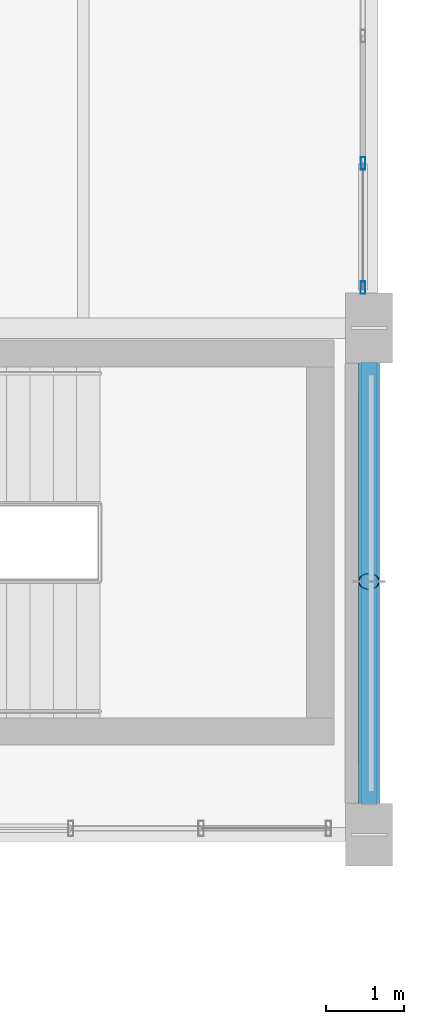
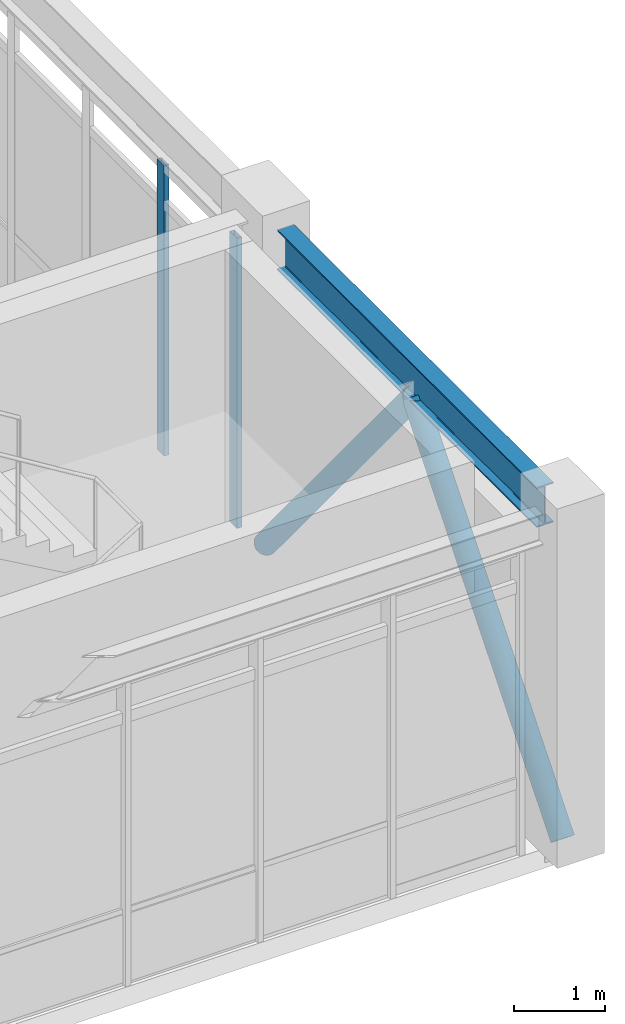
# One storey, part 117 of 200: 4 members, 1 beam, 1 element without a shape of its own.
"""IFC4 building model written with IfcOpenShell, lengths in metres."""

from ifc_helpers import new_model, si_unit, direction, frame, origin, origin_2d, place, context, subcontext, project, spatial, hollow_rectangle, hollow_circle, i_section, extrude, material, material_profile, profile_set, type_object, element, aggregate, save


model = new_model("IFC4")

# Units and contexts
model_context = context("Model", 3, precision=1e-05, world=origin(), true_north=direction((0.0, 1.0)))
body_context = subcontext(model_context, "Body", "Model", "MODEL_VIEW")
ifc_project = project(units=[si_unit("LENGTHUNIT", "METRE"), si_unit("AREAUNIT", "SQUARE_METRE"), si_unit("VOLUMEUNIT", "CUBIC_METRE"), si_unit("PLANEANGLEUNIT", "RADIAN"), si_unit("MASSUNIT", "GRAM", prefix="KILO"), si_unit("THERMODYNAMICTEMPERATUREUNIT", "KELVIN"), si_unit("POWERUNIT", "WATT")], contexts=[model_context])

# Site, building, storey
site_placement = place(None, origin())
site = spatial("IfcSite", under=ifc_project, at=site_placement, CompositionType="ELEMENT")
building_placement = place(site_placement, origin())
building = spatial("IfcBuilding", under=site, at=building_placement, Name="Tepalcoro Natatorium and Aquatics Centre", CompositionType="ELEMENT")
storey_placement = place(building_placement, frame((0.0, 0.0, 5.39990234375)))
storey = spatial("IfcBuildingStorey", under=building, at=storey_placement, Name="L01", CompositionType="ELEMENT", Elevation=5.39990234375)

# Curtain wall, members
ifc_material_1 = material(Name="Bronze-Anodised Extruded Aluminium Alloy EN AW-6063 T6", Category="aluminium")
curtain_wall_type = type_object("IfcCurtainWallType", Name="CW_LEAN_T2_NS", PredefinedType="USERDEFINED", material=ifc_material_1)
curtain_wall_placement = place(storey_placement, origin())
curtain_wall = element("IfcCurtainWall", 1, at=curtain_wall_placement, inside=storey, type_object=curtain_wall_type, Name="V2 L01 E Unitised Curtain Wall Bay 2", ObjectType="FACETED SOLAR GLAZING", PredefinedType="USERDEFINED")
ifc_material_profile_1 = material_profile(ifc_material_1, hollow_rectangle(XDim=0.06005859375, YDim=0.159912109375, WallThickness=0.00390625, at=origin_2d()), Name="AL60X160X4")
ifc_profile_set_1 = profile_set([ifc_material_profile_1], Name="Bronze-Anodised Extruded Aluminium Alloy EN AW-6063 T6")
member_type_1 = type_object("IfcMemberType", Name="CW_MUL_60x160", PredefinedType="MULLION", material=ifc_profile_set_1)
member_1_placement = place(storey_placement, frame((175.923828125, 13.52001953125, 0.02001953125), z_axis=(0.0, 0.0, 1.0), x_axis=(1.0, 0.0, 0.0)))
member_1 = element("IfcMember", 2, at=member_1_placement, type_object=member_type_1, Name="CW_LEAN_T2_NS Curtain Wall Mullion", PredefinedType="MULLION", context=body_context, shape_type="SweptSolid", body=[
    extrude(hollow_rectangle(XDim=0.06005859375, YDim=0.159912109375, WallThickness=0.00390625, at=origin_2d()), origin(), (0.0, 0.0, 1.0), 3.878173828125),
])
member_2_placement = place(storey_placement, frame((175.923828125, 15.114990234375, 0.02001953125), z_axis=(0.0, 0.0, 1.0), x_axis=(1.0, 0.0, 0.0)))
member_2 = element("IfcMember", 3, at=member_2_placement, type_object=member_type_1, Name="CW_LEAN_T2_NS Curtain Wall Mullion", PredefinedType="MULLION", context=body_context, shape_type="SweptSolid", body=[
    extrude(hollow_rectangle(XDim=0.06005859375, YDim=0.159912109375, WallThickness=0.00390625, at=origin_2d()), origin(), (0.0, 0.0, 1.0), 3.878173828125),
])
aggregate(curtain_wall, [member_1, member_2])

# Members
ifc_material_2 = material(Name="Terracotta Painted Hollow Steel ASTM A500 Grade C (Fy 345 MPa)", Category="masonry")
ifc_material_profile_2 = material_profile(ifc_material_2, hollow_circle(Radius=0.136474609375, WallThickness=0.011962890625, at=origin_2d()), Name="CHS273X12")
ifc_profile_set_2 = profile_set([ifc_material_profile_2], Name="Terracotta Painted Hollow Steel ASTM A500 Grade C (Fy 345 MPa)")
member_type_2 = type_object("IfcMemberType", Name="MB_BR_CHS273x12", PredefinedType="BRACE", material=ifc_profile_set_2)
for number, where, z_axis, x_axis, name in (
    (4, (176.0, 6.5, 0.050048828125), (0.0, 0.636330334601, 0.771416687184), (-1.0, 0.0, 0.0), "V2 L01 Chevron Lateral Brace"),
    (5, (176.0, 13.0, 0.050048828125), (0.0, -0.636330334601, 0.771416687184), (1.0, 0.0, 0.0), "V2 L01 Chevron Lateral Brace"),
):
    element("IfcMember", number, at=place(storey_placement, frame(where, z_axis=z_axis, x_axis=x_axis)), inside=storey, type_object=member_type_2, Name=name, PredefinedType="BRACE", context=body_context, shape_type="SweptSolid", body=[
        extrude(hollow_circle(Radius=0.136474609375, WallThickness=0.011962890625, at=origin_2d()), origin(), (0.0, 0.0, 1.0), 5.107421875),
    ])

# Beam
ifc_material_3 = material(Name="Steel ASTM A992 Grade 50 (Fy 345 MPa)", Category="steel")
ifc_material_profile_3 = material_profile(ifc_material_3, i_section(OverallWidth=0.2099609375, OverallDepth=0.535888671875, WebThickness=0.010986328125, FlangeThickness=0.01708984375, FilletRadius=0.013916015625, at=origin_2d()), Name="W21X68")
ifc_profile_set_3 = profile_set([ifc_material_profile_3], Name="Steel ASTM A992 Grade 50 (Fy 345 MPa)")
beam_type = type_object("IfcBeamType", Name="SP_W21x68", PredefinedType="SPANDREL", material=ifc_profile_set_3)
beam_placement = place(storey_placement, frame((176.0, 6.885009765625, 4.277099609375), z_axis=(0.0, 1.0, 0.0), x_axis=(-1.0, 0.0, 0.0)))
element("IfcBeam", 6, at=beam_placement, inside=storey, type_object=beam_type, Name="V2 L01 Grid Girder Y", PredefinedType="SPANDREL", context=body_context, shape_type="SweptSolid", body=[
    extrude(i_section(OverallWidth=0.2099609375, OverallDepth=0.535888671875, WebThickness=0.010986328125, FlangeThickness=0.01708984375, FilletRadius=0.013916015625, at=origin_2d()), origin(), (0.0, 0.0, 1.0), 5.679931640625),
])

save(model, "model.ifc")
